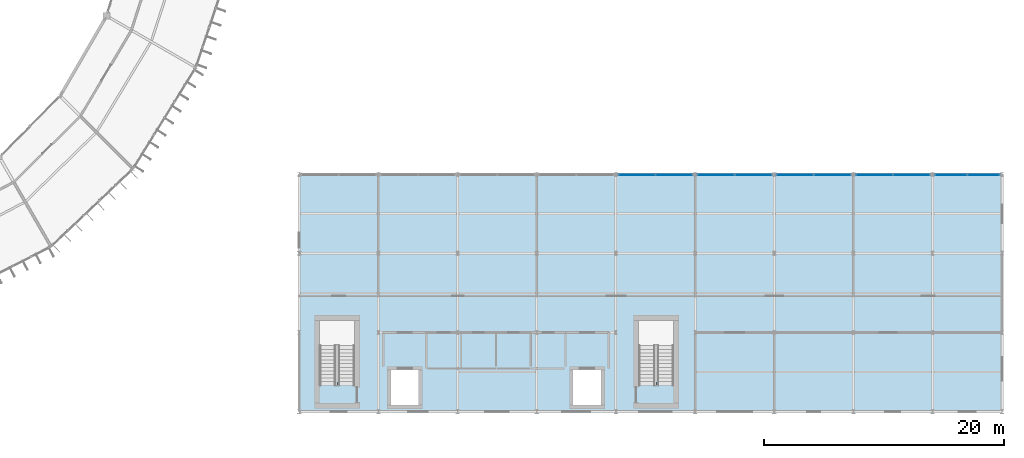
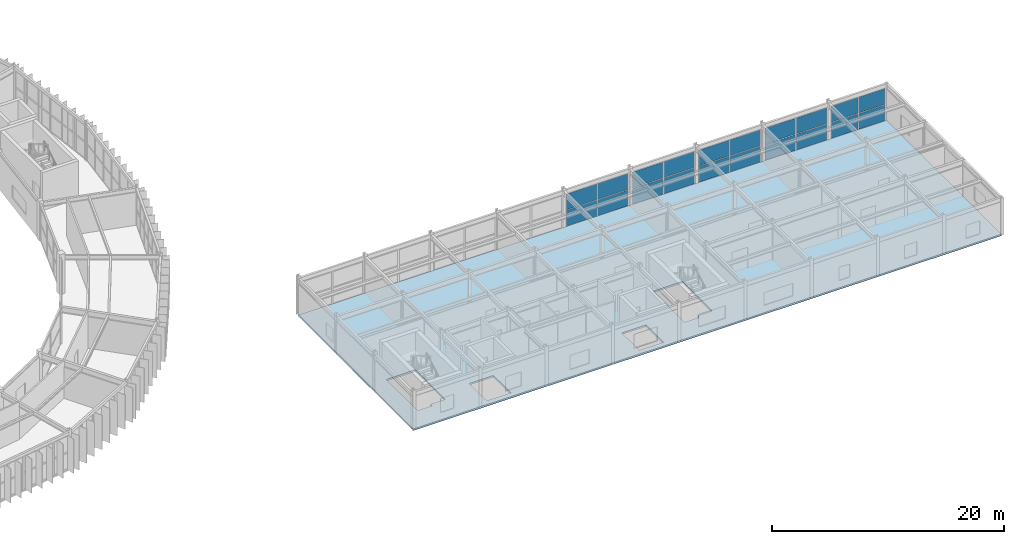
# One storey, part 100 of 134: 20 plates, 1 slab, 5 elements without a shape of their own.
"""IFC4 building model written with IfcOpenShell, lengths in metres."""

from ifc_helpers import new_model, si_unit, direction, frame, origin, origin_2d, place, context, subcontext, project, spatial, polyline, rectangle, outline, extrude, material, layer, layer_set, type_object, element, aggregate, save


model = new_model("IFC4")

# Units and contexts
model_context = context("Model", 3, precision=1e-05, world=origin(), true_north=direction((0.0, 1.0)))
body_context = subcontext(model_context, "Body", "Model", "MODEL_VIEW")
ifc_project = project(units=[si_unit("LENGTHUNIT", "METRE"), si_unit("AREAUNIT", "SQUARE_METRE"), si_unit("VOLUMEUNIT", "CUBIC_METRE"), si_unit("PLANEANGLEUNIT", "RADIAN"), si_unit("MASSUNIT", "GRAM", prefix="KILO")], contexts=[model_context])

# Site, building, storey
site_placement = place(None, origin())
site = spatial("IfcSite", under=ifc_project, at=site_placement, CompositionType="ELEMENT")
building_placement = place(site_placement, origin())
building = spatial("IfcBuilding", under=site, at=building_placement, Name="Karori Crest Natural Sciences Institute", CompositionType="ELEMENT")
storey_placement = place(building_placement, frame((0.0, 0.0, 21.699951171875)))
storey = spatial("IfcBuildingStorey", under=building, at=storey_placement, Name="L05", CompositionType="ELEMENT", Elevation=21.699951171875)

# Curtain wall, plates
ifc_material_1 = material(Name="Anodised architectural aluminium 6063-T6", Category="aluminium")
curtain_wall_type = type_object("IfcCurtainWallType", Name="CWT-20", PredefinedType="NOTDEFINED", material=ifc_material_1)
curtain_wall_1_placement = place(storey_placement, origin())
curtain_wall_1 = element("IfcCurtainWall", 1, at=curtain_wall_1_placement, inside=storey, type_object=curtain_wall_type, Name="Curtain wall CW-0344", PredefinedType="NOTDEFINED")
ifc_material_2 = material(Name="Double low-E laminated glass", Category="glass")
ifc_layer_1 = layer(ifc_material_2, 0.02392578125, Name="Double low-E laminated glass")
ifc_layer_set_1 = layer_set([ifc_layer_1], Name="Double low-E laminated glass")
plate_type = type_object("IfcPlateType", Name="CWP-01", PredefinedType="CURTAIN_PANEL", material=ifc_layer_set_1)
plate_1_placement = place(storey_placement, frame((131.742919921875, 20.5400390625, 0.06005859375), z_axis=(0.0, 0.0, 1.0), x_axis=(1.0, 0.0, 0.0)))
plate_1 = element("IfcPlate", 2, at=plate_1_placement, type_object=plate_type, Name="CW-0344 panel 1.1", PredefinedType="CURTAIN_PANEL", context=body_context, shape_type="SweptSolid", body=[
    extrude(rectangle(XDim=3.049072265625, YDim=0.02392578125, at=origin_2d()), origin(), (0.0, 0.0, 1.0), 1.66259765625),
])
plate_2_placement = place(storey_placement, frame((131.742919921875, 20.5400390625, 1.782470703125), z_axis=(0.0, 0.0, 1.0), x_axis=(1.0, 0.0, 0.0)))
plate_2 = element("IfcPlate", 3, at=plate_2_placement, type_object=plate_type, Name="CW-0344 panel 1.2", PredefinedType="CURTAIN_PANEL", context=body_context, shape_type="SweptSolid", body=[
    extrude(rectangle(XDim=3.049072265625, YDim=0.02392578125, at=origin_2d()), origin(), (0.0, 0.0, 1.0), 1.66259765625),
])
plate_3_placement = place(storey_placement, frame((134.85693359375, 20.5400390625, 0.06005859375), z_axis=(0.0, 0.0, 1.0), x_axis=(1.0, 0.0, 0.0)))
plate_3 = element("IfcPlate", 4, at=plate_3_placement, type_object=plate_type, Name="CW-0344 panel 2.1", PredefinedType="CURTAIN_PANEL", context=body_context, shape_type="SweptSolid", body=[
    extrude(rectangle(XDim=3.049072265625, YDim=0.02392578125, at=origin_2d()), origin(), (0.0, 0.0, 1.0), 1.66259765625),
])
plate_4_placement = place(storey_placement, frame((134.85693359375, 20.5400390625, 1.782470703125), z_axis=(0.0, 0.0, 1.0), x_axis=(1.0, 0.0, 0.0)))
plate_4 = element("IfcPlate", 5, at=plate_4_placement, type_object=plate_type, Name="CW-0344 panel 2.2", PredefinedType="CURTAIN_PANEL", context=body_context, shape_type="SweptSolid", body=[
    extrude(rectangle(XDim=3.049072265625, YDim=0.02392578125, at=origin_2d()), origin(), (0.0, 0.0, 1.0), 1.66259765625),
])
aggregate(curtain_wall_1, [plate_1, plate_2, plate_3, plate_4])

curtain_wall_2_placement = place(storey_placement, origin())
curtain_wall_2 = element("IfcCurtainWall", 6, at=curtain_wall_2_placement, inside=storey, type_object=curtain_wall_type, Name="Curtain wall CW-0345", PredefinedType="NOTDEFINED")
plate_5_placement = place(storey_placement, frame((138.343017578125, 20.5400390625, 0.06005859375), z_axis=(0.0, 0.0, 1.0), x_axis=(1.0, 0.0, 0.0)))
plate_5 = element("IfcPlate", 7, at=plate_5_placement, type_object=plate_type, Name="CW-0345 panel 1.1", PredefinedType="CURTAIN_PANEL", context=body_context, shape_type="SweptSolid", body=[
    extrude(rectangle(XDim=3.049072265625, YDim=0.02392578125, at=origin_2d()), origin(), (0.0, 0.0, 1.0), 1.66259765625),
])
plate_6_placement = place(storey_placement, frame((138.343017578125, 20.5400390625, 1.782470703125), z_axis=(0.0, 0.0, 1.0), x_axis=(1.0, 0.0, 0.0)))
plate_6 = element("IfcPlate", 8, at=plate_6_placement, type_object=plate_type, Name="CW-0345 panel 1.2", PredefinedType="CURTAIN_PANEL", context=body_context, shape_type="SweptSolid", body=[
    extrude(rectangle(XDim=3.049072265625, YDim=0.02392578125, at=origin_2d()), origin(), (0.0, 0.0, 1.0), 1.66259765625),
])
plate_7_placement = place(storey_placement, frame((141.45703125, 20.5400390625, 0.06005859375), z_axis=(0.0, 0.0, 1.0), x_axis=(1.0, 0.0, 0.0)))
plate_7 = element("IfcPlate", 9, at=plate_7_placement, type_object=plate_type, Name="CW-0345 panel 2.1", PredefinedType="CURTAIN_PANEL", context=body_context, shape_type="SweptSolid", body=[
    extrude(rectangle(XDim=3.049072265625, YDim=0.02392578125, at=origin_2d()), origin(), (0.0, 0.0, 1.0), 1.66259765625),
])
plate_8_placement = place(storey_placement, frame((141.45703125, 20.5400390625, 1.782470703125), z_axis=(0.0, 0.0, 1.0), x_axis=(1.0, 0.0, 0.0)))
plate_8 = element("IfcPlate", 10, at=plate_8_placement, type_object=plate_type, Name="CW-0345 panel 2.2", PredefinedType="CURTAIN_PANEL", context=body_context, shape_type="SweptSolid", body=[
    extrude(rectangle(XDim=3.049072265625, YDim=0.02392578125, at=origin_2d()), origin(), (0.0, 0.0, 1.0), 1.66259765625),
])
aggregate(curtain_wall_2, [plate_5, plate_6, plate_7, plate_8])

curtain_wall_3_placement = place(storey_placement, origin())
curtain_wall_3 = element("IfcCurtainWall", 11, at=curtain_wall_3_placement, inside=storey, type_object=curtain_wall_type, Name="Curtain wall CW-0346", PredefinedType="NOTDEFINED")
plate_9_placement = place(storey_placement, frame((144.943115234375, 20.5400390625, 0.06005859375), z_axis=(0.0, 0.0, 1.0), x_axis=(1.0, 0.0, 0.0)))
plate_9 = element("IfcPlate", 12, at=plate_9_placement, type_object=plate_type, Name="CW-0346 panel 1.1", PredefinedType="CURTAIN_PANEL", context=body_context, shape_type="SweptSolid", body=[
    extrude(rectangle(XDim=3.049072265625, YDim=0.02392578125, at=origin_2d()), origin(), (0.0, 0.0, 1.0), 1.66259765625),
])
plate_10_placement = place(storey_placement, frame((144.943115234375, 20.5400390625, 1.782470703125), z_axis=(0.0, 0.0, 1.0), x_axis=(1.0, 0.0, 0.0)))
plate_10 = element("IfcPlate", 13, at=plate_10_placement, type_object=plate_type, Name="CW-0346 panel 1.2", PredefinedType="CURTAIN_PANEL", context=body_context, shape_type="SweptSolid", body=[
    extrude(rectangle(XDim=3.049072265625, YDim=0.02392578125, at=origin_2d()), origin(), (0.0, 0.0, 1.0), 1.66259765625),
])
plate_11_placement = place(storey_placement, frame((148.056884765625, 20.5400390625, 0.06005859375), z_axis=(0.0, 0.0, 1.0), x_axis=(1.0, 0.0, 0.0)))
plate_11 = element("IfcPlate", 14, at=plate_11_placement, type_object=plate_type, Name="CW-0346 panel 2.1", PredefinedType="CURTAIN_PANEL", context=body_context, shape_type="SweptSolid", body=[
    extrude(rectangle(XDim=3.049072265625, YDim=0.02392578125, at=origin_2d()), origin(), (0.0, 0.0, 1.0), 1.66259765625),
])
plate_12_placement = place(storey_placement, frame((148.056884765625, 20.5400390625, 1.782470703125), z_axis=(0.0, 0.0, 1.0), x_axis=(1.0, 0.0, 0.0)))
plate_12 = element("IfcPlate", 15, at=plate_12_placement, type_object=plate_type, Name="CW-0346 panel 2.2", PredefinedType="CURTAIN_PANEL", context=body_context, shape_type="SweptSolid", body=[
    extrude(rectangle(XDim=3.049072265625, YDim=0.02392578125, at=origin_2d()), origin(), (0.0, 0.0, 1.0), 1.66259765625),
])
aggregate(curtain_wall_3, [plate_9, plate_10, plate_11, plate_12])

curtain_wall_4_placement = place(storey_placement, origin())
curtain_wall_4 = element("IfcCurtainWall", 16, at=curtain_wall_4_placement, inside=storey, type_object=curtain_wall_type, Name="Curtain wall CW-0347", PredefinedType="NOTDEFINED")
plate_13_placement = place(storey_placement, frame((151.54296875, 20.5400390625, 0.06005859375), z_axis=(0.0, 0.0, 1.0), x_axis=(1.0, 0.0, 0.0)))
plate_13 = element("IfcPlate", 17, at=plate_13_placement, type_object=plate_type, Name="CW-0347 panel 1.1", PredefinedType="CURTAIN_PANEL", context=body_context, shape_type="SweptSolid", body=[
    extrude(rectangle(XDim=3.049072265625, YDim=0.02392578125, at=origin_2d()), origin(), (0.0, 0.0, 1.0), 1.66259765625),
])
plate_14_placement = place(storey_placement, frame((151.54296875, 20.5400390625, 1.782470703125), z_axis=(0.0, 0.0, 1.0), x_axis=(1.0, 0.0, 0.0)))
plate_14 = element("IfcPlate", 18, at=plate_14_placement, type_object=plate_type, Name="CW-0347 panel 1.2", PredefinedType="CURTAIN_PANEL", context=body_context, shape_type="SweptSolid", body=[
    extrude(rectangle(XDim=3.049072265625, YDim=0.02392578125, at=origin_2d()), origin(), (0.0, 0.0, 1.0), 1.66259765625),
])
plate_15_placement = place(storey_placement, frame((154.656982421875, 20.5400390625, 0.06005859375), z_axis=(0.0, 0.0, 1.0), x_axis=(1.0, 0.0, 0.0)))
plate_15 = element("IfcPlate", 19, at=plate_15_placement, type_object=plate_type, Name="CW-0347 panel 2.1", PredefinedType="CURTAIN_PANEL", context=body_context, shape_type="SweptSolid", body=[
    extrude(rectangle(XDim=3.049072265625, YDim=0.02392578125, at=origin_2d()), origin(), (0.0, 0.0, 1.0), 1.66259765625),
])
plate_16_placement = place(storey_placement, frame((154.656982421875, 20.5400390625, 1.782470703125), z_axis=(0.0, 0.0, 1.0), x_axis=(1.0, 0.0, 0.0)))
plate_16 = element("IfcPlate", 20, at=plate_16_placement, type_object=plate_type, Name="CW-0347 panel 2.2", PredefinedType="CURTAIN_PANEL", context=body_context, shape_type="SweptSolid", body=[
    extrude(rectangle(XDim=3.049072265625, YDim=0.02392578125, at=origin_2d()), origin(), (0.0, 0.0, 1.0), 1.66259765625),
])
aggregate(curtain_wall_4, [plate_13, plate_14, plate_15, plate_16])

curtain_wall_5_placement = place(storey_placement, origin())
curtain_wall_5 = element("IfcCurtainWall", 21, at=curtain_wall_5_placement, inside=storey, type_object=curtain_wall_type, Name="Curtain wall CW-0348", PredefinedType="NOTDEFINED")
plate_17_placement = place(storey_placement, frame((157.943115234375, 20.5400390625, 0.06005859375), z_axis=(0.0, 0.0, 1.0), x_axis=(1.0, 0.0, 0.0)))
plate_17 = element("IfcPlate", 22, at=plate_17_placement, type_object=plate_type, Name="CW-0348 panel 1.1", PredefinedType="CURTAIN_PANEL", context=body_context, shape_type="SweptSolid", body=[
    extrude(rectangle(XDim=2.64892578125, YDim=0.02392578125, at=origin_2d()), origin(), (0.0, 0.0, 1.0), 1.66259765625),
])
plate_18_placement = place(storey_placement, frame((157.943115234375, 20.5400390625, 1.782470703125), z_axis=(0.0, 0.0, 1.0), x_axis=(1.0, 0.0, 0.0)))
plate_18 = element("IfcPlate", 23, at=plate_18_placement, type_object=plate_type, Name="CW-0348 panel 1.2", PredefinedType="CURTAIN_PANEL", context=body_context, shape_type="SweptSolid", body=[
    extrude(rectangle(XDim=2.64892578125, YDim=0.02392578125, at=origin_2d()), origin(), (0.0, 0.0, 1.0), 1.66259765625),
])
plate_19_placement = place(storey_placement, frame((160.656982421875, 20.5400390625, 0.06005859375), z_axis=(0.0, 0.0, 1.0), x_axis=(1.0, 0.0, 0.0)))
plate_19 = element("IfcPlate", 24, at=plate_19_placement, type_object=plate_type, Name="CW-0348 panel 2.1", PredefinedType="CURTAIN_PANEL", context=body_context, shape_type="SweptSolid", body=[
    extrude(rectangle(XDim=2.64892578125, YDim=0.02392578125, at=origin_2d()), origin(), (0.0, 0.0, 1.0), 1.66259765625),
])
plate_20_placement = place(storey_placement, frame((160.656982421875, 20.5400390625, 1.782470703125), z_axis=(0.0, 0.0, 1.0), x_axis=(1.0, 0.0, 0.0)))
plate_20 = element("IfcPlate", 25, at=plate_20_placement, type_object=plate_type, Name="CW-0348 panel 2.2", PredefinedType="CURTAIN_PANEL", context=body_context, shape_type="SweptSolid", body=[
    extrude(rectangle(XDim=2.64892578125, YDim=0.02392578125, at=origin_2d()), origin(), (0.0, 0.0, 1.0), 1.66259765625),
])
aggregate(curtain_wall_5, [plate_17, plate_18, plate_19, plate_20])

# Slab
ifc_material_3 = material(Name="Concrete 40 MPa", Category="concrete")
ifc_layer_2 = layer(ifc_material_3, 0.179931640625, Name="Concrete 40 MPa")
ifc_layer_set_2 = layer_set([ifc_layer_2], Name="Concrete 40 MPa")
slab_type = type_object("IfcSlabType", Name="SLT-09", PredefinedType="FLOOR", material=ifc_layer_set_2)
slab_placement = place(storey_placement, frame((0.0, 0.0, -0.179931640625)))
element("IfcSlab", 26, at=slab_placement, inside=storey, type_object=slab_type, Name="V5 Slab SL-0168", PredefinedType="FLOOR", context=body_context, shape_type="SweptSolid", body=[
    extrude(outline(polyline([(103.60009765625, 0.800048828125), (162.199951171875, 0.800048828125), (162.199951171875, 20.60009765625), (103.60009765625, 20.60009765625), (103.60009765625, 0.800048828125)]), holes=[polyline([(108.199951171875, 3.280029296875), (106.75, 3.280029296875), (106.75, 3.00048828125), (105.300048828125, 3.00048828125), (105.300048828125, 8.39990234375), (108.199951171875, 8.39990234375), (108.199951171875, 3.280029296875)]), polyline([(134.800048828125, 3.280029296875), (133.35009765625, 3.280029296875), (133.35009765625, 3.00048828125), (131.89990234375, 3.00048828125), (131.89990234375, 8.39990234375), (134.800048828125, 8.39990234375), (134.800048828125, 3.280029296875)]), polyline([(111.199951171875, 4.300048828125), (113.60009765625, 4.300048828125), (113.60009765625, 1.300048828125), (111.199951171875, 1.300048828125), (111.199951171875, 4.300048828125)]), polyline([(126.39990234375, 4.300048828125), (128.800048828125, 4.300048828125), (128.800048828125, 1.300048828125), (126.39990234375, 1.300048828125), (126.39990234375, 4.300048828125)])]), origin(), (0.0, 0.0, 1.0), 0.179931640625),
])

save(model, "model.ifc")
